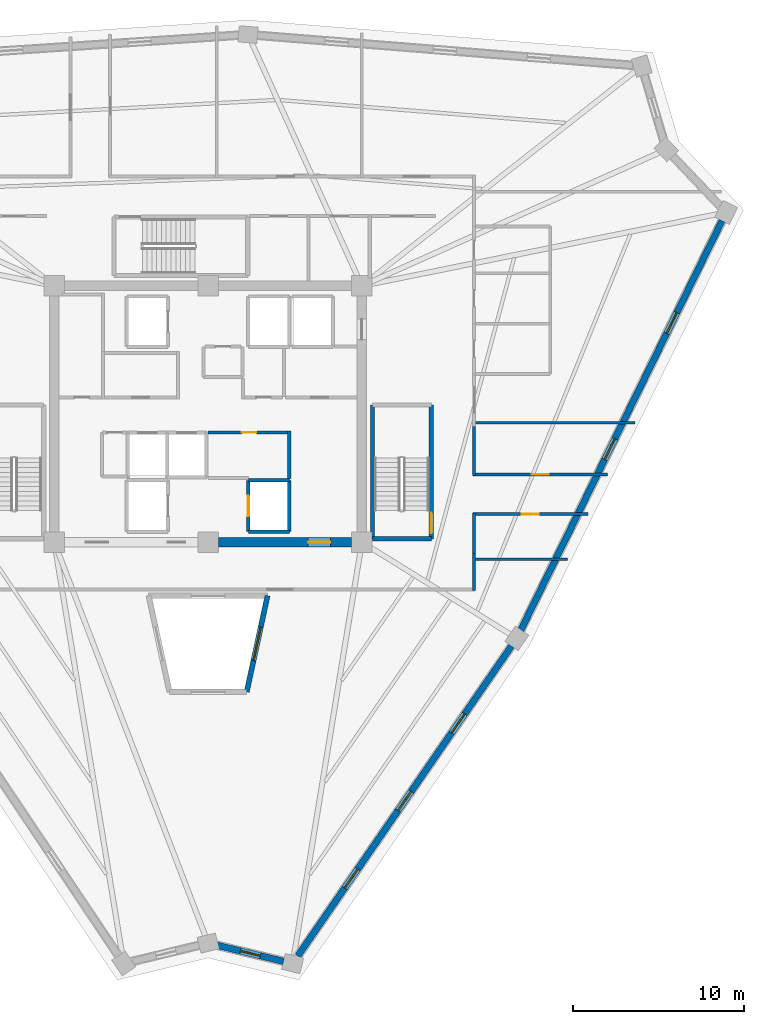
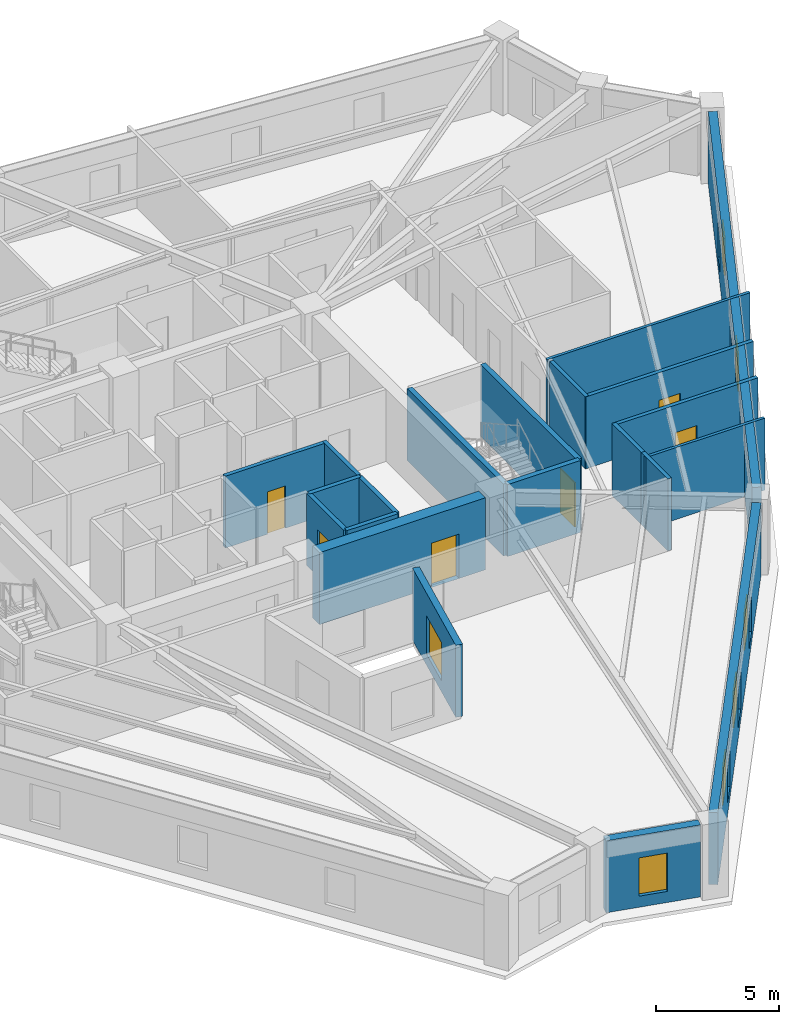
# One storey, part 4 of 8: 21 walls, 7 windows, 6 doors, 13 openings.
"""IFC4 building model written with IfcOpenShell, lengths in metres."""

import ifcopenshell
import ifcopenshell.guid

model = None  # the IFC model being written
_history = None  # IfcOwnerHistory: only IFC2X3 demands one
_inside = {}  # id of a spatial element -> (the spatial element, [elements in it])
_under = {}  # id of a project, library or spatial element -> (it, [spatial elements below it])
_declared = {}  # id of a project -> (the project, [libraries it declares])
_typed = {}  # id of a type object -> (the type object, [elements of that type])
_made_of = {}  # id of a material, layer set ... -> (it, [elements and type objects made of it])


def new_model(schema):
    """Start an empty IFC model of exactly this schema.

    Asked for "IFC4X3", IfcOpenShell would pick the latest addendum, in which some entities
    have other attributes; the version numbers below select the first issue.
    IFC2X3 requires an IfcOwnerHistory on every rooted entity: one is made here for all.
    """
    global model, _history
    if schema == "IFC4X3":
        model = ifcopenshell.file(schema_version=(4, 3, 0, 0))
    else:
        model = ifcopenshell.file(schema=schema)
    _inside.clear()
    _under.clear()
    _declared.clear()
    _typed.clear()
    _made_of.clear()
    _history = None
    if model.schema == "IFC2X3":
        org = make("IfcOrganization", Name="unknown")
        user = make(
            "IfcPersonAndOrganization",
            ThePerson=make("IfcPerson", FamilyName="unknown"),
            TheOrganization=org,
        )
        app = make(
            "IfcApplication",
            ApplicationDeveloper=org,
            Version="unknown",
            ApplicationFullName="unknown",
            ApplicationIdentifier="unknown",
        )
        _history = make(
            "IfcOwnerHistory",
            OwningUser=user,
            OwningApplication=app,
            ChangeAction="ADDED",
            CreationDate=0,
        )
    return model


def make(cls, **values):
    """One entity of the class cls with the attributes given. An attribute that is None is left unset."""
    return model.create_entity(
        cls, **{name: value for name, value in values.items() if value is not None}
    )


def rooted(cls, **values):
    """An entity with a GlobalId (a new one), such as an element, a storey or a relation."""
    return make(cls, GlobalId=ifcopenshell.guid.new(), OwnerHistory=_history, **values)


def si_unit(unit_type, name, prefix=None):
    """IfcSIUnit, for example si_unit("LENGTHUNIT", "METRE", prefix="MILLI")."""
    return make("IfcSIUnit", UnitType=unit_type, Prefix=prefix, Name=name)


def assignment(units):
    """IfcUnitAssignment: the units of a project."""
    return None if units is None else make("IfcUnitAssignment", Units=units)


def point(xyz):
    """IfcCartesianPoint."""
    return None if xyz is None else make("IfcCartesianPoint", Coordinates=xyz)


def direction(xyz):
    """IfcDirection."""
    return None if xyz is None else make("IfcDirection", DirectionRatios=xyz)


def frame(location, z_axis=None, x_axis=None):
    """IfcAxis2Placement3D, a coordinate frame: its origin and axes. An axis left out is left unset."""
    return make(
        "IfcAxis2Placement3D",
        Location=point(location),
        Axis=direction(z_axis),
        RefDirection=direction(x_axis),
    )


def frame_2d(location, x_axis=None):
    """IfcAxis2Placement2D, a coordinate frame in the plane: its origin and x axis."""
    return make(
        "IfcAxis2Placement2D", Location=point(location), RefDirection=direction(x_axis)
    )


def origin():
    """The frame at (0, 0, 0) with its axes left unset."""
    return frame((0.0, 0.0, 0.0))


def place(relative_to, where):
    """IfcLocalPlacement: puts the frame where relative to a parent placement (None: the world)."""
    return make(
        "IfcLocalPlacement", PlacementRelTo=relative_to, RelativePlacement=where
    )


def context(
    kind, dimensions, precision=None, world=None, true_north=None, identifier=None
):
    """IfcGeometricRepresentationContext, for example the 3D "Model" context."""
    return make(
        "IfcGeometricRepresentationContext",
        ContextIdentifier=identifier,
        ContextType=kind,
        CoordinateSpaceDimension=dimensions,
        Precision=precision,
        WorldCoordinateSystem=world,
        TrueNorth=true_north,
    )


def subcontext(parent, identifier, kind, view, scale=None):
    """IfcGeometricRepresentationSubContext, for example "Body" below "Model"."""
    return make(
        "IfcGeometricRepresentationSubContext",
        ContextIdentifier=identifier,
        ContextType=kind,
        ParentContext=parent,
        TargetScale=scale,
        TargetView=view,
    )


def project(units=None, contexts=None):
    """IfcProject with its units and contexts."""
    return rooted(
        "IfcProject",
        Name="project",
        RepresentationContexts=contexts,
        UnitsInContext=assignment(units),
    )


def spatial(cls, under=None, at=None, **own):
    """A site, building, storey or space (cls), placed at a placement, below another one or the project."""
    s = rooted(cls, ObjectPlacement=at, **own)
    if under is not None:
        _under.setdefault(under.id(), (under, []))[1].append(s)
    return s


def profile(cls, at=None, kind="AREA", **sizes):
    """A parametric profile (cls). Its sizes go by their IFC names, for example OverallWidth=200.0."""
    return make(cls, ProfileType=kind, Position=at, **sizes)


def rectangle(**sizes):
    """IfcRectangleProfileDef."""
    return profile("IfcRectangleProfileDef", **sizes)


def extrude(swept, where, along, depth):
    """IfcExtrudedAreaSolid: the profile swept, set in the frame where, extruded along a direction by depth."""
    return make(
        "IfcExtrudedAreaSolid",
        SweptArea=swept,
        Position=where,
        ExtrudedDirection=direction(along),
        Depth=depth,
    )


def shape(context_of_items, identifier, shape_type, items):
    """IfcShapeRepresentation: the items that make up one representation, for example the "Body"."""
    return make(
        "IfcShapeRepresentation",
        ContextOfItems=context_of_items,
        RepresentationIdentifier=identifier,
        RepresentationType=shape_type,
        Items=items,
    )


def source(mapping_origin, context_of_items, identifier, shape_type, items):
    """IfcRepresentationMap: a shape defined once, which mapped items show again and again."""
    return make(
        "IfcRepresentationMap",
        MappingOrigin=mapping_origin,
        MappedRepresentation=shape(context_of_items, identifier, shape_type, items),
    )


def transform(
    local_origin,
    x_axis=None,
    y_axis=None,
    z_axis=None,
    scale=None,
    scale2=None,
    scale3=None,
    uniform=True,
):
    """IfcCartesianTransformationOperator3D, or its non-uniform kind. x_axis, y_axis, z_axis: its Axis1, 2, 3."""
    if uniform:
        return make(
            "IfcCartesianTransformationOperator3D",
            Axis1=direction(x_axis),
            Axis2=direction(y_axis),
            LocalOrigin=point(local_origin),
            Scale=scale,
            Axis3=direction(z_axis),
        )
    return make(
        "IfcCartesianTransformationOperator3DnonUniform",
        Axis1=direction(x_axis),
        Axis2=direction(y_axis),
        LocalOrigin=point(local_origin),
        Scale=scale,
        Axis3=direction(z_axis),
        Scale2=scale2,
        Scale3=scale3,
    )


def mapped(mapping_source, mapping_target):
    """IfcMappedItem: shows the shape of a source again, moved by a transform."""
    return make(
        "IfcMappedItem", MappingSource=mapping_source, MappingTarget=mapping_target
    )


def material(Name=None, Category=None):
    """IfcMaterial."""
    return make("IfcMaterial", Name=Name, Category=Category)


def layer(
    of_material, thickness, ventilated=None, Name=None, Category=None, Priority=None
):
    """IfcMaterialLayer: one layer of a wall or slab, of a material (None: an air gap)."""
    return make(
        "IfcMaterialLayer",
        Material=of_material,
        LayerThickness=thickness,
        IsVentilated=ventilated,
        Name=Name,
        Category=Category,
        Priority=Priority,
    )


def layer_set(layers, Name=None):
    """IfcMaterialLayerSet."""
    return make("IfcMaterialLayerSet", MaterialLayers=layers, LayerSetName=Name)


def made_of(thing, what):
    """Note that an element or type object is made of a material, layer set ...; save() writes the relation."""
    if what is not None:
        _made_of.setdefault(what.id(), (what, []))[1].append(thing)
    return thing


def type_object(cls, material=None, **own):
    """A type object (cls), such as IfcWallType, which elements share."""
    return made_of(rooted(cls, **own), material)


def element(
    cls,
    number,
    at=None,
    inside=None,
    cuts=None,
    type_object=None,
    material=None,
    context=None,
    identifier="Body",
    shape_type=None,
    held_by="IfcProductDefinitionShape",
    body=None,
    shapes=None,
    **own,
):
    """One element of the class cls, such as IfcWall. Its Tag is "e" and its number.

    at: its placement. inside: the storey or other place that contains it. cuts: it is an
    opening in that element (IfcRelVoidsElement). A single representation is given by context,
    identifier, shape_type and body (its items); several are given by shapes. held_by: the class
    of the entity that holds the representations. save() writes the other relations.
    """
    e = rooted(cls, Tag="e%d" % number, ObjectPlacement=at, **own)
    if body is not None:
        shapes = [shape(context, identifier, shape_type, body)]
    if shapes is not None:
        e.Representation = make(held_by, Representations=shapes)
    if inside is not None:
        _inside.setdefault(inside.id(), (inside, []))[1].append(e)
    if cuts is not None:
        rooted(
            "IfcRelVoidsElement", RelatingBuildingElement=cuts, RelatedOpeningElement=e
        )
    if type_object is not None:
        _typed.setdefault(type_object.id(), (type_object, []))[1].append(e)
    return made_of(e, material)


def fill(opening, filler):
    """IfcRelFillsElement: the door or window that sits in an opening."""
    return rooted(
        "IfcRelFillsElement",
        RelatingOpeningElement=opening,
        RelatedBuildingElement=filler,
    )


def aggregate(whole, parts):
    """IfcRelAggregates: a whole, such as a stair, and the parts it consists of."""
    return rooted("IfcRelAggregates", RelatingObject=whole, RelatedObjects=parts)


def save(model, path):
    """Write the relations noted so far, then the file.

    IfcRelAggregates (storeys below a building ...), IfcRelContainedInSpatialStructure (elements
    in a storey), IfcRelDefinesByType, IfcRelAssociatesMaterial and IfcRelDeclares: one each for
    every whole, place, type object, material and project.
    """
    for whole, parts in _under.values():
        aggregate(whole, parts)
    for where, things in _inside.values():
        rooted(
            "IfcRelContainedInSpatialStructure",
            RelatedElements=things,
            RelatingStructure=where,
        )
    for kind, things in _typed.values():
        rooted("IfcRelDefinesByType", RelatedObjects=things, RelatingType=kind)
    for what, things in _made_of.values():
        rooted("IfcRelAssociatesMaterial", RelatedObjects=things, RelatingMaterial=what)
    for by, libraries in _declared.values():
        rooted("IfcRelDeclares", RelatingContext=by, RelatedDefinitions=libraries)
    model.write(path)


model = new_model("IFC4")

# Units and contexts
model_context = context("Model", 3, precision=1e-05, world=origin(), true_north=direction((0.0, 1.0)))
body_context = subcontext(model_context, "Body", "Model", "MODEL_VIEW")
ifc_project = project(units=[si_unit("LENGTHUNIT", "METRE"), si_unit("AREAUNIT", "SQUARE_METRE"), si_unit("VOLUMEUNIT", "CUBIC_METRE"), si_unit("PLANEANGLEUNIT", "RADIAN"), si_unit("MASSUNIT", "GRAM", prefix="KILO")], contexts=[model_context])

# Site, building, storey
site_placement = place(None, origin())
site = spatial("IfcSite", under=ifc_project, at=site_placement, CompositionType="ELEMENT")
building_placement = place(site_placement, origin())
building = spatial("IfcBuilding", under=site, at=building_placement, Name="Liaohun Quay Tower", CompositionType="ELEMENT")
storey_placement = place(building_placement, frame((0.0, 0.0, 297.75)))
storey = spatial("IfcBuildingStorey", under=building, at=storey_placement, Name="L77", CompositionType="ELEMENT", Elevation=297.75)

# Wall, opening, window
ifc_material_1 = material(Name="Concrete C50", Category="concrete")
ifc_layer_1 = layer(ifc_material_1, 0.300048828125, Name="Concrete C50", Category="concrete")
ifc_layer_set_1 = layer_set([ifc_layer_1], Name="Concrete C50")
wall_type_1 = type_object("IfcWallType", Name="WAL-ATR-300", PredefinedType="SOLIDWALL", material=ifc_layer_set_1)
wall_1_placement = place(storey_placement, frame((63.47900390625, 43.3701171875, 0.0), z_axis=(0.0, 0.0, 1.0), x_axis=(-0.211447694839, -0.977389314627, 0.0)))
wall_1 = element("IfcWall", 1, at=wall_1_placement, inside=storey, type_object=wall_type_1, Name="L77 Atrium Fire Compartment Wall 3", PredefinedType="SOLIDWALL", context=body_context, shape_type="SweptSolid", body=[
    extrude(rectangle(XDim=5.76025390625, YDim=0.300048828125, at=frame_2d((2.880126953125, 0.0))), origin(), (0.0, 0.0, 1.0), 3.570068359375),
])
shared_shape_1 = source(origin(), body_context, "Body", "SweptSolid", [
    extrude(rectangle(XDim=2.0, YDim=1.89990234375, at=frame_2d((1.0, 0.949951171875))), frame((0.0, 0.159912109375, 0.0), z_axis=(0.0, -1.0, 0.0), x_axis=(1.0, 0.0, 0.0)), (0.0, 0.0, 1.0), 0.320068359375),
])
opening_1_placement = place(wall_1_placement, frame((1.8798828125, 0.0, 0.550048828125)))
opening_1 = element("IfcOpeningElement", 2, at=opening_1_placement, cuts=wall_1, Name="Opening W07", PredefinedType="OPENING", context=body_context, shape_type="MappedRepresentation", body=[
    mapped(shared_shape_1, transform((0.0, 0.0, 0.0), x_axis=(1.0, 0.0, 0.0), y_axis=(0.0, 1.0, 0.0), z_axis=(0.0, 0.0, 1.0), scale=1.0)),
])
ifc_material_2 = material(Name="Class A 180-min fire-resistant insulated glazing", Category="glass")
window_type_1 = type_object("IfcWindowType", Name="WIN-ATR-FIR", PartitioningType="DOUBLE_PANEL_VERTICAL", PredefinedType="WINDOW", material=ifc_material_2)
shared_shape_2 = source(origin(), body_context, "Body", "SweptSolid", [
    extrude(rectangle(XDim=2.0, YDim=1.89990234375, at=frame_2d((1.0, 0.949951171875))), frame((0.0, 0.030029296875, 0.0), z_axis=(0.0, -1.0, 0.0), x_axis=(1.0, 0.0, 0.0)), (0.0, 0.0, 1.0), 0.06005859375),
])
window_1_placement = place(opening_1_placement, origin())
window_1 = element("IfcWindow", 3, at=window_1_placement, inside=storey, type_object=window_type_1, Name="L77 Atrium Fire-Resistant Glazing W07-3", OverallHeight=1.89990234375, OverallWidth=2.0, PartitioningType="DOUBLE_PANEL_VERTICAL", PredefinedType="WINDOW", context=body_context, shape_type="MappedRepresentation", body=[
    mapped(shared_shape_2, transform((0.0, 0.0, 0.0), x_axis=(1.0, 0.0, 0.0), y_axis=(0.0, 1.0, 0.0), z_axis=(0.0, 0.0, 1.0), scale=1.0)),
])
fill(opening_1, window_1)

# Wall, opening, door
ifc_layer_2 = layer(ifc_material_1, 0.550048828125, Name="Concrete C50", Category="concrete")
ifc_layer_set_2 = layer_set([ifc_layer_2], Name="Concrete C50")
wall_type_2 = type_object("IfcWallType", Name="WAL-COR-Z4", PredefinedType="SHEAR", material=ifc_layer_set_2)
wall_2_placement = place(storey_placement, frame((68.39990234375, 46.5, 0.0), z_axis=(0.0, 0.0, 1.0), x_axis=(-1.0, 0.0, 0.0)))
wall_2 = element("IfcWall", 4, at=wall_2_placement, inside=storey, type_object=wall_type_2, Name="L77 Central Core Shear Wall S-E", PredefinedType="SHEAR", context=body_context, shape_type="SweptSolid", body=[
    extrude(rectangle(XDim=7.7998046875, YDim=0.550048828125, at=frame_2d((3.89990234375, 0.0))), origin(), (0.0, 0.0, 1.0), 3.570068359375),
])
shared_shape_3 = source(origin(), body_context, "Body", "SweptSolid", [
    extrude(rectangle(XDim=1.300048828125, YDim=2.199951171875, at=frame_2d((0.64990234375, 1.10009765625))), frame((0.0, 0.284912109375, 0.0), z_axis=(0.0, -1.0, 0.0), x_axis=(1.0, 0.0, 0.0)), (0.0, 0.0, 1.0), 0.570068359375),
])
opening_2_placement = place(wall_2_placement, frame((1.25, 0.0, 0.0)))
opening_2 = element("IfcOpeningElement", 5, at=opening_2_placement, cuts=wall_2, Name="Opening FD1", PredefinedType="OPENING", context=body_context, shape_type="MappedRepresentation", body=[
    mapped(shared_shape_3, transform((0.0, 0.0, 0.0), x_axis=(1.0, 0.0, 0.0), y_axis=(0.0, 1.0, 0.0), z_axis=(0.0, 0.0, 1.0), scale=1.0)),
])
ifc_material_3 = material(Name="Galvanised steel smokeproof fire door", Category="steel")
door_type_1 = type_object("IfcDoorType", Name="DOR-FFL-1300", OperationType="NOTDEFINED", PredefinedType="DOOR", material=ifc_material_3)
shared_shape_4 = source(origin(), body_context, "Body", "SweptSolid", [
    extrude(rectangle(XDim=1.300048828125, YDim=2.199951171875, at=frame_2d((0.64990234375, 1.10009765625))), frame((0.0, 0.02490234375, 0.0), z_axis=(0.0, -1.0, 0.0), x_axis=(1.0, 0.0, 0.0)), (0.0, 0.0, 1.0), 0.050048828125),
])
door_1_placement = place(opening_2_placement, origin())
door_1 = element("IfcDoor", 6, at=door_1_placement, inside=storey, type_object=door_type_1, Name="L77 East Core Lift Lobby Smokeproof Door", OperationType="SINGLE_SWING_LEFT", OverallHeight=2.199951171875, OverallWidth=1.300048828125, PredefinedType="DOOR", context=body_context, shape_type="MappedRepresentation", body=[
    mapped(shared_shape_4, transform((0.0, 0.0, 0.0), x_axis=(1.0, 0.0, 0.0), y_axis=(0.0, 1.0, 0.0), z_axis=(0.0, 0.0, 1.0), scale=1.0)),
])
fill(opening_2, door_1)

# Wall, opening, window
ifc_material_4 = material(Name="Precast concrete C50 insulated sandwich", Category="concrete")
ifc_layer_3 = layer(ifc_material_4, 0.3798828125, Name="Precast concrete C50 insulated sandwich", Category="concrete")
ifc_layer_set_3 = layer_set([ifc_layer_3], Name="Precast concrete C50 insulated sandwich")
wall_type_3 = type_object("IfcWallType", Name="WAL-EXT-Z34", PredefinedType="SOLIDWALL", material=ifc_layer_set_3)
wall_3_placement = place(storey_placement, frame((60.52490234375, 22.9130859375, 0.0), z_axis=(0.0, 0.0, 1.0), x_axis=(0.972056339679, -0.234747678348, 0.0)))
wall_3 = element("IfcWall", 7, at=wall_3_placement, inside=storey, type_object=wall_type_3, Name="L77 Brutalist Precast Pier Wall 01", PredefinedType="SOLIDWALL", context=body_context, shape_type="SweptSolid", body=[
    extrude(rectangle(XDim=4.00927734375, YDim=0.3798828125, at=frame_2d((2.004638671875, 0.0))), origin(), (0.0, 0.0, 1.0), 3.570068359375),
])
shared_shape_5 = source(origin(), body_context, "Body", "SweptSolid", [
    extrude(rectangle(XDim=1.199951171875, YDim=1.89990234375, at=frame_2d((0.60009765625, 0.949951171875))), frame((0.0, 0.199951171875, 0.0), z_axis=(0.0, -1.0, 0.0), x_axis=(1.0, 0.0, 0.0)), (0.0, 0.0, 1.0), 0.39990234375),
])
opening_3_placement = place(wall_3_placement, frame((1.405029296875, 0.0, 0.550048828125)))
opening_3 = element("IfcOpeningElement", 8, at=opening_3_placement, cuts=wall_3, Name="Opening W05", PredefinedType="OPENING", context=body_context, shape_type="MappedRepresentation", body=[
    mapped(shared_shape_5, transform((0.0, 0.0, 0.0), x_axis=(1.0, 0.0, 0.0), y_axis=(0.0, 1.0, 0.0), z_axis=(0.0, 0.0, 1.0), scale=1.0)),
])
ifc_material_5 = material(Name="Triple Low-E corner notch glazing", Category="glass")
window_type_2 = type_object("IfcWindowType", Name="WIN-NOTCH", PartitioningType="SINGLE_PANEL", PredefinedType="WINDOW", material=ifc_material_5)
shared_shape_6 = source(origin(), body_context, "Body", "SweptSolid", [
    extrude(rectangle(XDim=1.199951171875, YDim=1.89990234375, at=frame_2d((0.60009765625, 0.949951171875))), frame((0.0, 0.030029296875, 0.0), z_axis=(0.0, -1.0, 0.0), x_axis=(1.0, 0.0, 0.0)), (0.0, 0.0, 1.0), 0.06005859375),
])
window_2_placement = place(opening_3_placement, origin())
window_2 = element("IfcWindow", 9, at=window_2_placement, inside=storey, type_object=window_type_2, Name="L77 Corner Notch Window W05-01", OverallHeight=1.89990234375, OverallWidth=1.199951171875, PartitioningType="SINGLE_PANEL", PredefinedType="WINDOW", context=body_context, shape_type="MappedRepresentation", body=[
    mapped(shared_shape_6, transform((0.0, 0.0, 0.0), x_axis=(1.0, 0.0, 0.0), y_axis=(0.0, 1.0, 0.0), z_axis=(0.0, 0.0, 1.0), scale=1.0)),
])
fill(opening_3, window_2)

# Wall, openings, windows
wall_4_placement = place(storey_placement, frame((65.2529296875, 22.2900390625, 0.0), z_axis=(0.0, 0.0, 1.0), x_axis=(0.567535350135, 0.823349030695, 0.0)))
wall_4 = element("IfcWall", 10, at=wall_4_placement, inside=storey, type_object=wall_type_3, Name="L77 Brutalist Precast Pier Wall 02", PredefinedType="SOLIDWALL", context=body_context, shape_type="SweptSolid", body=[
    extrude(rectangle(XDim=22.03076171875, YDim=0.3798828125, at=frame_2d((11.015380859375, 0.0))), origin(), (0.0, 0.0, 1.0), 3.570068359375),
])
shared_shape_7 = source(origin(), body_context, "Body", "SweptSolid", [
    extrude(rectangle(XDim=1.35009765625, YDim=1.85009765625, at=frame_2d((0.675048828125, 0.925048828125))), frame((0.0, 0.199951171875, 0.0), z_axis=(0.0, -1.0, 0.0), x_axis=(1.0, 0.0, 0.0)), (0.0, 0.0, 1.0), 0.39990234375),
])
opening_4_placement = place(wall_4_placement, frame((4.8330078125, 0.0, 0.550048828125)))
opening_4 = element("IfcOpeningElement", 11, at=opening_4_placement, cuts=wall_4, Name="Opening W04", PredefinedType="OPENING", context=body_context, shape_type="MappedRepresentation", body=[
    mapped(shared_shape_7, transform((0.0, 0.0, 0.0), x_axis=(1.0, 0.0, 0.0), y_axis=(0.0, 1.0, 0.0), z_axis=(0.0, 0.0, 1.0), scale=1.0)),
])
opening_5_placement = place(wall_4_placement, frame((10.340087890625, 0.0, 0.550048828125)))
opening_5 = element("IfcOpeningElement", 12, at=opening_5_placement, cuts=wall_4, Name="Opening W04", PredefinedType="OPENING", context=body_context, shape_type="MappedRepresentation", body=[
    mapped(shared_shape_7, transform((0.0, 0.0, 0.0), x_axis=(1.0, 0.0, 0.0), y_axis=(0.0, 1.0, 0.0), z_axis=(0.0, 0.0, 1.0), scale=1.0)),
])
opening_6_placement = place(wall_4_placement, frame((15.847900390625, 0.0, 0.550048828125)))
opening_6 = element("IfcOpeningElement", 13, at=opening_6_placement, cuts=wall_4, Name="Opening W04", PredefinedType="OPENING", context=body_context, shape_type="MappedRepresentation", body=[
    mapped(shared_shape_7, transform((0.0, 0.0, 0.0), x_axis=(1.0, 0.0, 0.0), y_axis=(0.0, 1.0, 0.0), z_axis=(0.0, 0.0, 1.0), scale=1.0)),
])
ifc_material_6 = material(Name="Triple Low-E argon glazing in thermally broken aluminium", Category="aluminium")
window_type_3 = type_object("IfcWindowType", Name="WIN-PUN-Z4", PartitioningType="SINGLE_PANEL", PredefinedType="WINDOW", material=ifc_material_6)
shared_shape_8 = source(origin(), body_context, "Body", "SweptSolid", [
    extrude(rectangle(XDim=1.35009765625, YDim=1.85009765625, at=frame_2d((0.675048828125, 0.925048828125))), frame((0.0, 0.030029296875, 0.0), z_axis=(0.0, -1.0, 0.0), x_axis=(1.0, 0.0, 0.0)), (0.0, 0.0, 1.0), 0.06005859375),
])
window_3_placement = place(opening_4_placement, origin())
window_3 = element("IfcWindow", 14, at=window_3_placement, inside=storey, type_object=window_type_3, Name="L77 Recessed Cold-Climate Punched Window 02-1", OverallHeight=1.85009765625, OverallWidth=1.35009765625, PartitioningType="SINGLE_PANEL", PredefinedType="WINDOW", context=body_context, shape_type="MappedRepresentation", body=[
    mapped(shared_shape_8, transform((0.0, 0.0, 0.0), x_axis=(1.0, 0.0, 0.0), y_axis=(0.0, 1.0, 0.0), z_axis=(0.0, 0.0, 1.0), scale=1.0)),
])
fill(opening_4, window_3)
window_4_placement = place(opening_5_placement, origin())
window_4 = element("IfcWindow", 15, at=window_4_placement, inside=storey, type_object=window_type_3, Name="L77 Recessed Cold-Climate Punched Window 02-2", OverallHeight=1.85009765625, OverallWidth=1.35009765625, PartitioningType="SINGLE_PANEL", PredefinedType="WINDOW", context=body_context, shape_type="MappedRepresentation", body=[
    mapped(shared_shape_8, transform((0.0, 0.0, 0.0), x_axis=(1.0, 0.0, 0.0), y_axis=(0.0, 1.0, 0.0), z_axis=(0.0, 0.0, 1.0), scale=1.0)),
])
fill(opening_5, window_4)
window_5_placement = place(opening_6_placement, origin())
window_5 = element("IfcWindow", 16, at=window_5_placement, inside=storey, type_object=window_type_3, Name="L77 Recessed Cold-Climate Punched Window 02-3", OverallHeight=1.85009765625, OverallWidth=1.35009765625, PartitioningType="SINGLE_PANEL", PredefinedType="WINDOW", context=body_context, shape_type="MappedRepresentation", body=[
    mapped(shared_shape_8, transform((0.0, 0.0, 0.0), x_axis=(1.0, 0.0, 0.0), y_axis=(0.0, 1.0, 0.0), z_axis=(0.0, 0.0, 1.0), scale=1.0)),
])
fill(opening_6, window_5)

wall_5_placement = place(storey_placement, frame((78.300048828125, 41.35888671875, 0.0), z_axis=(0.0, 0.0, 1.0), x_axis=(0.441159552697, 0.897428687453, 0.0)))
wall_5 = element("IfcWall", 17, at=wall_5_placement, inside=storey, type_object=wall_type_3, Name="L77 Brutalist Precast Pier Wall 03", PredefinedType="SOLIDWALL", context=body_context, shape_type="SweptSolid", body=[
    extrude(rectangle(XDim=26.693115234375, YDim=0.3798828125, at=frame_2d((13.3466796875, 0.0))), origin(), (0.0, 0.0, 1.0), 3.570068359375),
])
opening_7_placement = place(wall_5_placement, frame((11.12109375, 0.0, 0.550048828125)))
opening_7 = element("IfcOpeningElement", 18, at=opening_7_placement, cuts=wall_5, Name="Opening W04", PredefinedType="OPENING", context=body_context, shape_type="MappedRepresentation", body=[
    mapped(shared_shape_7, transform((0.0, 0.0, 0.0), x_axis=(1.0, 0.0, 0.0), y_axis=(0.0, 1.0, 0.0), z_axis=(0.0, 0.0, 1.0), scale=1.0)),
])
opening_8_placement = place(wall_5_placement, frame((19.344970703125, 0.0, 0.550048828125)))
opening_8 = element("IfcOpeningElement", 19, at=opening_8_placement, cuts=wall_5, Name="Opening W04", PredefinedType="OPENING", context=body_context, shape_type="MappedRepresentation", body=[
    mapped(shared_shape_7, transform((0.0, 0.0, 0.0), x_axis=(1.0, 0.0, 0.0), y_axis=(0.0, 1.0, 0.0), z_axis=(0.0, 0.0, 1.0), scale=1.0)),
])
window_6_placement = place(opening_7_placement, origin())
window_6 = element("IfcWindow", 20, at=window_6_placement, inside=storey, type_object=window_type_3, Name="L77 Recessed Cold-Climate Punched Window 03-2", OverallHeight=1.85009765625, OverallWidth=1.35009765625, PartitioningType="SINGLE_PANEL", PredefinedType="WINDOW", context=body_context, shape_type="MappedRepresentation", body=[
    mapped(shared_shape_8, transform((0.0, 0.0, 0.0), x_axis=(1.0, 0.0, 0.0), y_axis=(0.0, 1.0, 0.0), z_axis=(0.0, 0.0, 1.0), scale=1.0)),
])
fill(opening_7, window_6)
window_7_placement = place(opening_8_placement, origin())
window_7 = element("IfcWindow", 21, at=window_7_placement, inside=storey, type_object=window_type_3, Name="L77 Recessed Cold-Climate Punched Window 03-3", OverallHeight=1.85009765625, OverallWidth=1.35009765625, PartitioningType="SINGLE_PANEL", PredefinedType="WINDOW", context=body_context, shape_type="MappedRepresentation", body=[
    mapped(shared_shape_8, transform((0.0, 0.0, 0.0), x_axis=(1.0, 0.0, 0.0), y_axis=(0.0, 1.0, 0.0), z_axis=(0.0, 0.0, 1.0), scale=1.0)),
])
fill(opening_8, window_7)

# Wall, opening, door
ifc_material_7 = material(Name="Autoclaved aerated concrete blockwork", Category="masonry")
ifc_layer_4 = layer(ifc_material_7, 0.179931640625, Name="Autoclaved aerated concrete blockwork", Category="masonry")
ifc_layer_set_4 = layer_set([ifc_layer_4], Name="Autoclaved aerated concrete blockwork")
wall_type_4 = type_object("IfcWallType", Name="WAL-PRT-COR", PredefinedType="PARTITIONING", material=ifc_layer_set_4)
wall_6_placement = place(storey_placement, frame((60.0, 52.919921875, 0.0), z_axis=(0.0, 0.0, 1.0), x_axis=(1.0, 0.0, 0.0)))
wall_6 = element("IfcWall", 22, at=wall_6_placement, inside=storey, type_object=wall_type_4, Name="L77 Interior Partition Wall 001", PredefinedType="PARTITIONING", context=body_context, shape_type="SweptSolid", body=[
    extrude(rectangle(XDim=4.659912109375, YDim=0.179931640625, at=frame_2d((2.330078125, 0.0))), origin(), (0.0, 0.0, 1.0), 3.570068359375),
])
shared_shape_9 = source(origin(), body_context, "Body", "SweptSolid", [
    extrude(rectangle(XDim=0.85009765625, YDim=2.10009765625, at=frame_2d((0.425048828125, 1.050048828125))), frame((0.0, 0.099853515625, 0.0), z_axis=(0.0, -1.0, 0.0), x_axis=(1.0, 0.0, 0.0)), (0.0, 0.0, 1.0), 0.199951171875),
])
opening_9_placement = place(wall_6_placement, frame((1.97509765625, 0.0, 0.0)))
opening_9 = element("IfcOpeningElement", 23, at=opening_9_placement, cuts=wall_6, Name="Opening AD1", PredefinedType="OPENING", context=body_context, shape_type="MappedRepresentation", body=[
    mapped(shared_shape_9, transform((0.0, 0.0, 0.0), x_axis=(1.0, 0.0, 0.0), y_axis=(0.0, 1.0, 0.0), z_axis=(0.0, 0.0, 1.0), scale=1.0)),
])
ifc_material_8 = material(Name="Steel riser inspection fire door", Category="steel")
door_type_2 = type_object("IfcDoorType", Name="DOR-SHF-850", OperationType="NOTDEFINED", PredefinedType="DOOR", material=ifc_material_8)
shared_shape_10 = source(origin(), body_context, "Body", "SweptSolid", [
    extrude(rectangle(XDim=0.85009765625, YDim=2.10009765625, at=frame_2d((0.425048828125, 1.050048828125))), frame((0.0, 0.02490234375, 0.0), z_axis=(0.0, -1.0, 0.0), x_axis=(1.0, 0.0, 0.0)), (0.0, 0.0, 1.0), 0.050048828125),
])
door_2_placement = place(opening_9_placement, origin())
door_2 = element("IfcDoor", 24, at=door_2_placement, inside=storey, type_object=door_type_2, Name="L77 Core High-Zone BMS and Switch Room Door", OperationType="SINGLE_SWING_LEFT", OverallHeight=2.10009765625, OverallWidth=0.85009765625, PredefinedType="DOOR", context=body_context, shape_type="MappedRepresentation", body=[
    mapped(shared_shape_10, transform((0.0, 0.0, 0.0), x_axis=(1.0, 0.0, 0.0), y_axis=(0.0, 1.0, 0.0), z_axis=(0.0, 0.0, 1.0), scale=1.0)),
])
fill(opening_9, door_2)

wall_7_placement = place(storey_placement, frame((82.22705078125, 48.139892578125, 0.0), z_axis=(0.0, 0.0, 1.0), x_axis=(-1.0, 0.0, 0.0)))
wall_7 = element("IfcWall", 25, at=wall_7_placement, inside=storey, type_object=wall_type_4, Name="L77 Interior Partition Wall 025", PredefinedType="PARTITIONING", context=body_context, shape_type="SweptSolid", body=[
    extrude(rectangle(XDim=6.737060546875, YDim=0.179931640625, at=frame_2d((3.36865234375, 0.0))), origin(), (0.0, 0.0, 1.0), 3.570068359375),
])
shared_shape_11 = source(origin(), body_context, "Body", "SweptSolid", [
    extrude(rectangle(XDim=1.0, YDim=2.199951171875, at=frame_2d((0.5, 1.10009765625))), frame((0.0, 0.099853515625, 0.0), z_axis=(0.0, -1.0, 0.0), x_axis=(1.0, 0.0, 0.0)), (0.0, 0.0, 1.0), 0.199951171875),
])
opening_10_placement = place(wall_7_placement, frame((2.868896484375, 0.0, 0.0)))
opening_10 = element("IfcOpeningElement", 26, at=opening_10_placement, cuts=wall_7, Name="Opening OD1", PredefinedType="OPENING", context=body_context, shape_type="MappedRepresentation", body=[
    mapped(shared_shape_11, transform((0.0, 0.0, 0.0), x_axis=(1.0, 0.0, 0.0), y_axis=(0.0, 1.0, 0.0), z_axis=(0.0, 0.0, 1.0), scale=1.0)),
])
ifc_material_9 = material(Name="Solid-core oak veneer timber leaf in steel frame", Category="steel")
door_type_3 = type_object("IfcDoorType", Name="DOR-OFF-1000", OperationType="NOTDEFINED", PredefinedType="DOOR", material=ifc_material_9)
shared_shape_12 = source(origin(), body_context, "Body", "SweptSolid", [
    extrude(rectangle(XDim=1.0, YDim=2.199951171875, at=frame_2d((0.5, 1.10009765625))), frame((0.0, 0.02490234375, 0.0), z_axis=(0.0, -1.0, 0.0), x_axis=(1.0, 0.0, 0.0)), (0.0, 0.0, 1.0), 0.050048828125),
])
door_3_placement = place(opening_10_placement, origin())
door_3 = element("IfcDoor", 27, at=door_3_placement, inside=storey, type_object=door_type_3, Name="L77 Executive Partner Office 11 Door", OperationType="SINGLE_SWING_LEFT", OverallHeight=2.199951171875, OverallWidth=1.0, PredefinedType="DOOR", context=body_context, shape_type="MappedRepresentation", body=[
    mapped(shared_shape_12, transform((0.0, 0.0, 0.0), x_axis=(1.0, 0.0, 0.0), y_axis=(0.0, 1.0, 0.0), z_axis=(0.0, 0.0, 1.0), scale=1.0)),
])
fill(opening_10, door_3)

wall_8_placement = place(storey_placement, frame((75.489990234375, 50.4599609375, 0.0), z_axis=(0.0, 0.0, 1.0), x_axis=(1.0, 0.0, 0.0)))
wall_8 = element("IfcWall", 28, at=wall_8_placement, inside=storey, type_object=wall_type_4, Name="L77 Interior Partition Wall 026", PredefinedType="PARTITIONING", context=body_context, shape_type="SweptSolid", body=[
    extrude(rectangle(XDim=7.876953125, YDim=0.179931640625, at=frame_2d((3.9384765625, 0.0))), origin(), (0.0, 0.0, 1.0), 3.570068359375),
])
opening_11_placement = place(wall_8_placement, frame((3.43896484375, 0.0, 0.0)))
opening_11 = element("IfcOpeningElement", 29, at=opening_11_placement, cuts=wall_8, Name="Opening OD1", PredefinedType="OPENING", context=body_context, shape_type="MappedRepresentation", body=[
    mapped(shared_shape_11, transform((0.0, 0.0, 0.0), x_axis=(1.0, 0.0, 0.0), y_axis=(0.0, 1.0, 0.0), z_axis=(0.0, 0.0, 1.0), scale=1.0)),
])
door_4_placement = place(opening_11_placement, origin())
door_4 = element("IfcDoor", 30, at=door_4_placement, inside=storey, type_object=door_type_3, Name="L77 Client Reception Office 12 Door", OperationType="SINGLE_SWING_RIGHT", OverallHeight=2.199951171875, OverallWidth=1.0, PredefinedType="DOOR", context=body_context, shape_type="MappedRepresentation", body=[
    mapped(shared_shape_12, transform((0.0, 0.0, 0.0), x_axis=(1.0, 0.0, 0.0), y_axis=(0.0, 1.0, 0.0), z_axis=(0.0, 0.0, 1.0), scale=1.0)),
])
fill(opening_11, door_4)

# Walls
wall_9_placement = place(storey_placement, frame((75.56005859375, 45.8349609375, 0.0), z_axis=(0.0, 0.0, 1.0), x_axis=(0.0, -1.0, 0.0)))
element("IfcWall", 31, at=wall_9_placement, inside=storey, type_object=wall_type_4, Name="L77 Interior Partition Wall 045", PredefinedType="PARTITIONING", context=body_context, shape_type="SweptSolid", body=[
    extrude(rectangle(XDim=2.1650390625, YDim=0.179931640625, at=frame_2d((1.08251953125, 0.0))), origin(), (0.0, 0.0, 1.0), 3.570068359375),
])
wall_10_placement = place(storey_placement, frame((75.56005859375, 48.2099609375, 0.0), z_axis=(0.0, 0.0, 1.0), x_axis=(0.0, -1.0, 0.0)))
element("IfcWall", 32, at=wall_10_placement, inside=storey, type_object=wall_type_4, Name="L77 Interior Partition Wall 047", PredefinedType="PARTITIONING", context=body_context, shape_type="SweptSolid", body=[
    extrude(rectangle(XDim=2.375, YDim=0.179931640625, at=frame_2d((1.1875, 0.0))), origin(), (0.0, 0.0, 1.0), 3.570068359375),
])
wall_11_placement = place(storey_placement, frame((75.56005859375, 53.284912109375, 0.0), z_axis=(0.0, 0.0, 1.0), x_axis=(0.0, -1.0, 0.0)))
element("IfcWall", 33, at=wall_11_placement, inside=storey, type_object=wall_type_4, Name="L77 Interior Partition Wall 048", PredefinedType="PARTITIONING", context=body_context, shape_type="SweptSolid", body=[
    extrude(rectangle(XDim=2.89501953125, YDim=0.179931640625, at=frame_2d((1.447509765625, 0.0))), origin(), (0.0, 0.0, 1.0), 3.570068359375),
])
wall_12_placement = place(storey_placement, frame((64.75, 50.219970703125, 0.0), z_axis=(0.0, 0.0, 1.0), x_axis=(0.0, 1.0, 0.0)))
element("IfcWall", 34, at=wall_12_placement, inside=storey, type_object=wall_type_4, Name="L77 Interior Partition Wall 059", PredefinedType="PARTITIONING", context=body_context, shape_type="SweptSolid", body=[
    extrude(rectangle(XDim=2.7900390625, YDim=0.179931640625, at=frame_2d((1.39501953125, 0.0))), origin(), (0.0, 0.0, 1.0), 3.570068359375),
])
ifc_material_10 = material(Name="Gypsum board on twin steel studs", Category="steel")
ifc_layer_5 = layer(ifc_material_10, 0.139892578125, Name="Gypsum board on twin steel studs", Category="steel")
ifc_layer_set_5 = layer_set([ifc_layer_5], Name="Gypsum board on twin steel studs")
wall_type_5 = type_object("IfcWallType", Name="WAL-PRT-OFF", PredefinedType="PARTITIONING", material=ifc_layer_set_5)
wall_13_placement = place(storey_placement, frame((75.4599609375, 45.5, 0.0), z_axis=(0.0, 0.0, 1.0), x_axis=(1.0, 0.0, 0.0)))
element("IfcWall", 35, at=wall_13_placement, inside=storey, type_object=wall_type_5, Name="L77 Interior Partition Wall 054", PredefinedType="PARTITIONING", context=body_context, shape_type="SweptSolid", body=[
    extrude(rectangle(XDim=5.578125, YDim=0.139892578125, at=frame_2d((2.7890625, 0.0))), origin(), (0.0, 0.0, 1.0), 3.570068359375),
])
wall_14_placement = place(storey_placement, frame((75.4599609375, 53.5, 0.0), z_axis=(0.0, 0.0, 1.0), x_axis=(1.0, 0.0, 0.0)))
element("IfcWall", 36, at=wall_14_placement, inside=storey, type_object=wall_type_5, Name="L77 Interior Partition Wall 055", PredefinedType="PARTITIONING", context=body_context, shape_type="SweptSolid", body=[
    extrude(rectangle(XDim=9.510009765625, YDim=0.139892578125, at=frame_2d((4.7548828125, 0.0))), origin(), (0.0, 0.0, 1.0), 3.570068359375),
])
ifc_layer_6 = layer(ifc_material_1, 0.239990234375, Name="Concrete C50", Category="concrete")
ifc_layer_set_6 = layer_set([ifc_layer_6], Name="Concrete C50")
wall_type_6 = type_object("IfcWallType", Name="WAL-SHF-200", PredefinedType="SOLIDWALL", material=ifc_layer_set_6)
wall_15_placement = place(storey_placement, frame((69.6201171875, 46.699951171875, 0.0), z_axis=(0.0, 0.0, 1.0), x_axis=(1.0, 0.0, 0.0)))
element("IfcWall", 37, at=wall_15_placement, inside=storey, type_object=wall_type_6, Name="L77 Stairwell ST-2 Structural Core Wall S", PredefinedType="SOLIDWALL", context=body_context, shape_type="SweptSolid", body=[
    extrude(rectangle(XDim=3.43994140625, YDim=0.239990234375, at=frame_2d((1.719970703125, 0.0))), origin(), (0.0, 0.0, 1.0), 3.570068359375),
])

# Wall, opening, door
wall_16_placement = place(storey_placement, frame((73.06005859375, 46.699951171875, 0.0), z_axis=(0.0, 0.0, 1.0), x_axis=(0.0, 1.0, 0.0)))
wall_16 = element("IfcWall", 38, at=wall_16_placement, inside=storey, type_object=wall_type_6, Name="L77 Stairwell ST-2 Structural Core Wall E", PredefinedType="SOLIDWALL", context=body_context, shape_type="SweptSolid", body=[
    extrude(rectangle(XDim=7.820068359375, YDim=0.239990234375, at=frame_2d((3.91015625, 0.0))), origin(), (0.0, 0.0, 1.0), 3.570068359375),
])
shared_shape_13 = source(origin(), body_context, "Body", "SweptSolid", [
    extrude(rectangle(XDim=1.199951171875, YDim=2.199951171875, at=frame_2d((0.60009765625, 1.10009765625))), frame((0.0, 0.1298828125, 0.0), z_axis=(0.0, -1.0, 0.0), x_axis=(1.0, 0.0, 0.0)), (0.0, 0.0, 1.0), 0.260009765625),
])
opening_12_placement = place(wall_16_placement, frame((0.320068359375, 0.0, 0.0)))
opening_12 = element("IfcOpeningElement", 39, at=opening_12_placement, cuts=wall_16, Name="Opening SD1", PredefinedType="OPENING", context=body_context, shape_type="MappedRepresentation", body=[
    mapped(shared_shape_13, transform((0.0, 0.0, 0.0), x_axis=(1.0, 0.0, 0.0), y_axis=(0.0, 1.0, 0.0), z_axis=(0.0, 0.0, 1.0), scale=1.0)),
])
ifc_material_11 = material(Name="Galvanised steel fire door", Category="steel")
door_type_4 = type_object("IfcDoorType", Name="DOR-STR-1200", OperationType="NOTDEFINED", PredefinedType="DOOR", material=ifc_material_11)
shared_shape_14 = source(origin(), body_context, "Body", "SweptSolid", [
    extrude(rectangle(XDim=1.199951171875, YDim=2.199951171875, at=frame_2d((0.60009765625, 1.10009765625))), frame((0.0, 0.02490234375, 0.0), z_axis=(0.0, -1.0, 0.0), x_axis=(1.0, 0.0, 0.0)), (0.0, 0.0, 1.0), 0.050048828125),
])
door_5_placement = place(opening_12_placement, origin())
door_5 = element("IfcDoor", 40, at=door_5_placement, inside=storey, type_object=door_type_4, Name="L77 Protected Stair ST-2 Fire Door", OperationType="SINGLE_SWING_RIGHT", OverallHeight=2.199951171875, OverallWidth=1.199951171875, PredefinedType="DOOR", context=body_context, shape_type="MappedRepresentation", body=[
    mapped(shared_shape_14, transform((0.0, 0.0, 0.0), x_axis=(1.0, 0.0, 0.0), y_axis=(0.0, 1.0, 0.0), z_axis=(0.0, 0.0, 1.0), scale=1.0)),
])
fill(opening_12, door_5)

# Walls
wall_17_placement = place(storey_placement, frame((69.6201171875, 54.52001953125, 0.0), z_axis=(0.0, 0.0, 1.0), x_axis=(0.0, -1.0, 0.0)))
element("IfcWall", 41, at=wall_17_placement, inside=storey, type_object=wall_type_6, Name="L77 Stairwell ST-2 Structural Core Wall W", PredefinedType="SOLIDWALL", context=body_context, shape_type="SweptSolid", body=[
    extrude(rectangle(XDim=7.820068359375, YDim=0.239990234375, at=frame_2d((3.91015625, 0.0))), origin(), (0.0, 0.0, 1.0), 3.570068359375),
])
wall_18_placement = place(storey_placement, frame((62.35009765625, 47.1201171875, 0.0), z_axis=(0.0, 0.0, 1.0), x_axis=(1.0, 0.0, 0.0)))
element("IfcWall", 42, at=wall_18_placement, inside=storey, type_object=wall_type_6, Name="L77 Lift FF-02 Hoistway Wall S", PredefinedType="SOLIDWALL", context=body_context, shape_type="SweptSolid", body=[
    extrude(rectangle(XDim=2.39990234375, YDim=0.199951171875, at=frame_2d((1.199951171875, 0.0))), origin(), (0.0, 0.0, 1.0), 3.570068359375),
])
wall_19_placement = place(storey_placement, frame((64.75, 47.1201171875, 0.0), z_axis=(0.0, 0.0, 1.0), x_axis=(0.0, 1.0, 0.0)))
element("IfcWall", 43, at=wall_19_placement, inside=storey, type_object=wall_type_6, Name="L77 Lift FF-02 Hoistway Wall E", PredefinedType="SOLIDWALL", context=body_context, shape_type="SweptSolid", body=[
    extrude(rectangle(XDim=3.0, YDim=0.199951171875, at=frame_2d((1.5, 0.0))), origin(), (0.0, 0.0, 1.0), 3.570068359375),
])
wall_20_placement = place(storey_placement, frame((64.75, 50.1201171875, 0.0), z_axis=(0.0, 0.0, 1.0), x_axis=(-1.0, 0.0, 0.0)))
element("IfcWall", 44, at=wall_20_placement, inside=storey, type_object=wall_type_6, Name="L77 Lift FF-02 Hoistway Wall N", PredefinedType="SOLIDWALL", context=body_context, shape_type="SweptSolid", body=[
    extrude(rectangle(XDim=2.39990234375, YDim=0.199951171875, at=frame_2d((1.199951171875, 0.0))), origin(), (0.0, 0.0, 1.0), 3.570068359375),
])

# Wall, opening, door
wall_21_placement = place(storey_placement, frame((62.35009765625, 50.1201171875, 0.0), z_axis=(0.0, 0.0, 1.0), x_axis=(0.0, -1.0, 0.0)))
wall_21 = element("IfcWall", 45, at=wall_21_placement, inside=storey, type_object=wall_type_6, Name="L77 Lift FF-02 Hoistway Wall W", PredefinedType="SOLIDWALL", context=body_context, shape_type="SweptSolid", body=[
    extrude(rectangle(XDim=3.0, YDim=0.199951171875, at=frame_2d((1.5, 0.0))), origin(), (0.0, 0.0, 1.0), 3.570068359375),
])
shared_shape_15 = source(origin(), body_context, "Body", "SweptSolid", [
    extrude(rectangle(XDim=1.199951171875, YDim=2.300048828125, at=frame_2d((0.60009765625, 1.14990234375))), frame((0.0, 0.10986328125, 0.0), z_axis=(0.0, -1.0, 0.0), x_axis=(1.0, 0.0, 0.0)), (0.0, 0.0, 1.0), 0.219970703125),
])
opening_13_placement = place(wall_21_placement, frame((0.89990234375, 0.0, 0.0)))
opening_13 = element("IfcOpeningElement", 46, at=opening_13_placement, cuts=wall_21, Name="Opening LD2", PredefinedType="OPENING", context=body_context, shape_type="MappedRepresentation", body=[
    mapped(shared_shape_15, transform((0.0, 0.0, 0.0), x_axis=(1.0, 0.0, 0.0), y_axis=(0.0, 1.0, 0.0), z_axis=(0.0, 0.0, 1.0), scale=1.0)),
])
ifc_material_12 = material(Name="Brushed stainless steel stretcher landing door", Category="steel")
door_type_5 = type_object("IfcDoorType", Name="DOR-LFT-1200", OperationType="SLIDING_TO_LEFT", PredefinedType="DOOR", material=ifc_material_12)
shared_shape_16 = source(origin(), body_context, "Body", "SweptSolid", [
    extrude(rectangle(XDim=1.199951171875, YDim=2.300048828125, at=frame_2d((0.60009765625, 1.14990234375))), frame((0.0, 0.02490234375, 0.0), z_axis=(0.0, -1.0, 0.0), x_axis=(1.0, 0.0, 0.0)), (0.0, 0.0, 1.0), 0.050048828125),
])
door_6_placement = place(opening_13_placement, origin())
door_6 = element("IfcDoor", 47, at=door_6_placement, inside=storey, type_object=door_type_5, Name="L77 Lift FF-02 Sliding Landing Door", OperationType="SLIDING_TO_LEFT", OverallHeight=2.300048828125, OverallWidth=1.199951171875, PredefinedType="DOOR", context=body_context, shape_type="MappedRepresentation", body=[
    mapped(shared_shape_16, transform((0.0, 0.0, 0.0), x_axis=(1.0, 0.0, 0.0), y_axis=(0.0, 1.0, 0.0), z_axis=(0.0, 0.0, 1.0), scale=1.0)),
])
fill(opening_13, door_6)

save(model, "model.ifc")
